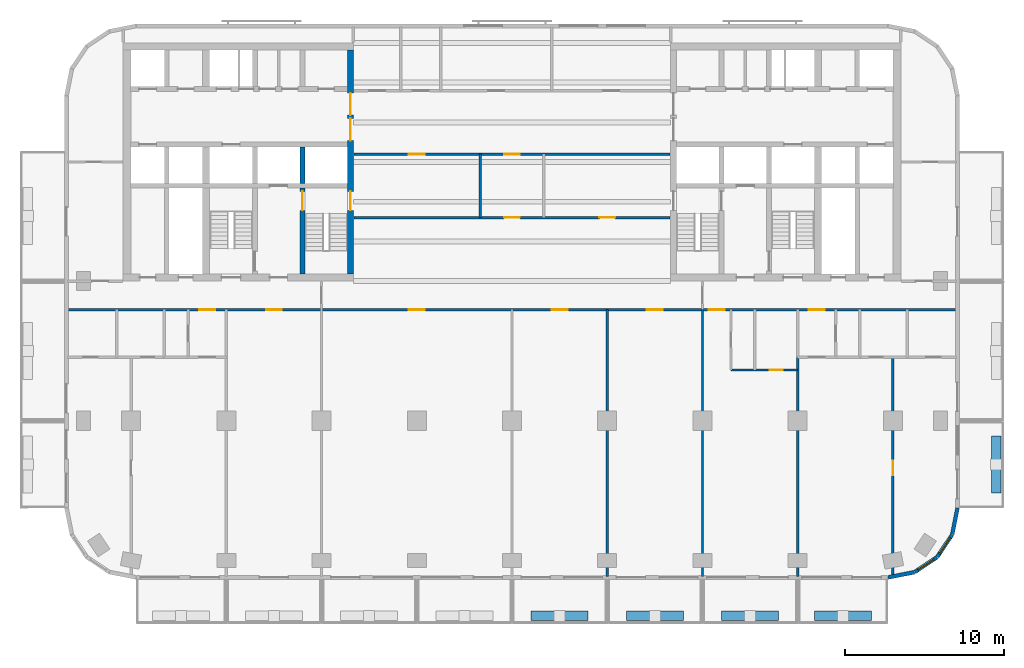
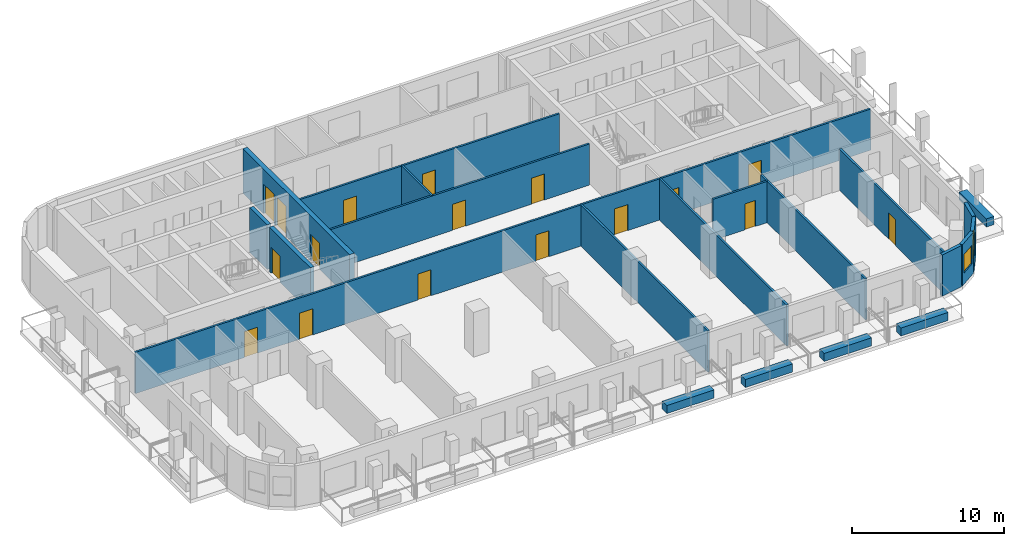
# One storey, part 4 of 11: 21 walls, 17 doors, 2 windows, 19 openings.
"""IFC4 building model written with IfcOpenShell, lengths in metres."""

from ifc_helpers import new_model, si_unit, direction, frame, frame_2d, origin, place, context, subcontext, project, spatial, rectangle, extrude, material, layer, layer_set, type_object, element, fill, save


model = new_model("IFC4")

# Units and contexts
model_context = context("Model", 3, precision=1e-05, world=origin(), true_north=direction((0.0, 1.0)))
body_context = subcontext(model_context, "Body", "Model", "MODEL_VIEW")
ifc_project = project(units=[si_unit("LENGTHUNIT", "METRE"), si_unit("AREAUNIT", "SQUARE_METRE"), si_unit("VOLUMEUNIT", "CUBIC_METRE"), si_unit("PLANEANGLEUNIT", "RADIAN"), si_unit("MASSUNIT", "GRAM", prefix="KILO")], contexts=[model_context])

# Site, building, storey
site_placement = place(None, origin())
site = spatial("IfcSite", under=ifc_project, at=site_placement, CompositionType="ELEMENT")
building_placement = place(site_placement, origin())
building = spatial("IfcBuilding", under=site, at=building_placement, Name="Torana Hotel and Residences", CompositionType="ELEMENT")
storey_placement = place(building_placement, frame((0.0, 0.0, 120.0)))
storey = spatial("IfcBuildingStorey", under=building, at=storey_placement, Name="L30", CompositionType="ELEMENT", Elevation=120.0)

# Wall
ifc_material_1 = material(Name="Concrete C70/85", Category="concrete")
ifc_layer_1 = layer(ifc_material_1, 0.300048828125)
ifc_layer_set_1 = layer_set([ifc_layer_1], Name="CORE WALL 300 C70/85")
wall_type_1 = type_object("IfcWallType", Name="CORE WALL 300 C70/85", PredefinedType="SHEAR", material=ifc_layer_set_1)
wall_1_placement = place(storey_placement, frame((-13.199951171875, -8.85009765625, 0.0), z_axis=(0.0, 0.0, 1.0), x_axis=(0.0, 1.0, 0.0)))
element("IfcWall", 1, at=wall_1_placement, inside=storey, type_object=wall_type_1, Name="Core wall W x3.05-S", PredefinedType="SHEAR", context=body_context, shape_type="SweptSolid", body=[
    extrude(rectangle(XDim=2.300048828125, YDim=0.300048828125, at=frame_2d((1.14990234375, 0.0))), origin(), (0.0, 0.0, 1.0), 3.60009765625),
])

# Wall, opening, door
wall_2_placement = place(storey_placement, frame((-13.199951171875, -14.550048828125, 0.0), z_axis=(0.0, 0.0, 1.0), x_axis=(0.0, 1.0, 0.0)))
wall_2 = element("IfcWall", 2, at=wall_2_placement, inside=storey, type_object=wall_type_1, Name="Core wall W x3.05-band", PredefinedType="SHEAR", context=body_context, shape_type="SweptSolid", body=[
    extrude(rectangle(XDim=5.400146484375, YDim=0.300048828125, at=frame_2d((2.7001953125, 0.0))), origin(), (0.0, 0.0, 1.0), 3.60009765625),
])
opening_1_placement = place(wall_2_placement, frame((4.0, 0.0, 0.0)))
opening_1 = element("IfcOpeningElement", 3, at=opening_1_placement, cuts=wall_2, Name="Opening L30-14", PredefinedType="OPENING", context=body_context, shape_type="SweptSolid", body=[
    extrude(rectangle(XDim=1.199951171875, YDim=2.10009765625, at=frame_2d((0.60009765625, 1.050048828125))), frame((0.0, 0.159912109375, 0.0), z_axis=(0.0, -1.0, 0.0), x_axis=(1.0, 0.0, 0.0)), (0.0, 0.0, 1.0), 0.320068359375),
])
ifc_material_2 = material(Name="Steel S235", Category="steel")
door_type_1 = type_object("IfcDoorType", Name="STAIR FIRE DOOR D3 1200x2100", OperationType="SINGLE_SWING_LEFT", PredefinedType="DOOR", material=ifc_material_2)
door_1_placement = place(opening_1_placement, frame((0.60009765625, 0.0, 0.0), z_axis=(0.0, 0.0, 1.0), x_axis=(-1.0, 0.0, 0.0)))
door_1 = element("IfcDoor", 4, at=door_1_placement, inside=storey, type_object=door_type_1, Name="Stair-A-lobby door L30", OperationType="SINGLE_SWING_RIGHT", OverallHeight=2.10009765625, OverallWidth=1.199951171875, PredefinedType="DOOR", context=body_context, shape_type="SweptSolid", body=[
    extrude(rectangle(XDim=1.199951171875, YDim=2.10009765625, at=frame_2d((0.0, 1.050048828125))), frame((0.0, -0.02490234375, 0.0), z_axis=(0.0, 1.0, 0.0), x_axis=(-1.0, 0.0, 0.0)), (0.0, 0.0, 1.0), 0.050048828125),
])
fill(opening_1, door_1)

# Wall, openings, doors
ifc_material_3 = material(Name="Concrete C70/85", Category="concrete")
ifc_layer_2 = layer(ifc_material_3, 0.35009765625)
ifc_layer_set_2 = layer_set([ifc_layer_2], Name="CORE WALL 350 C70/85")
wall_type_2 = type_object("IfcWallType", Name="CORE WALL 350 C70/85", PredefinedType="SHEAR", material=ifc_layer_set_2)
wall_3_placement = place(storey_placement, frame((-10.175048828125, -14.550048828125, 0.0), z_axis=(0.0, 0.0, 1.0), x_axis=(0.0, 1.0, 0.0)))
wall_3 = element("IfcWall", 5, at=wall_3_placement, inside=storey, type_object=wall_type_2, Name="Core wall W arch", PredefinedType="SHEAR", context=body_context, shape_type="SweptSolid", body=[
    extrude(rectangle(XDim=14.10009765625, YDim=0.35009765625, at=frame_2d((7.050048828125, 0.0))), origin(), (0.0, 0.0, 1.0), 3.60009765625),
])
opening_2_placement = place(wall_3_placement, frame((8.39990234375, 0.0, 0.0)))
opening_2 = element("IfcOpeningElement", 6, at=opening_2_placement, cuts=wall_3, Name="Opening L30-01", PredefinedType="OPENING", context=body_context, shape_type="SweptSolid", body=[
    extrude(rectangle(XDim=1.39990234375, YDim=2.39990234375, at=frame_2d((0.699951171875, 1.199951171875))), frame((0.0, 0.18505859375, 0.0), z_axis=(0.0, -1.0, 0.0), x_axis=(1.0, 0.0, 0.0)), (0.0, 0.0, 1.0), 0.3701171875),
])
opening_3_placement = place(wall_3_placement, frame((10.0, 0.0, 0.0)))
opening_3 = element("IfcOpeningElement", 7, at=opening_3_placement, cuts=wall_3, Name="Opening L30-02", PredefinedType="OPENING", context=body_context, shape_type="SweptSolid", body=[
    extrude(rectangle(XDim=1.39990234375, YDim=2.39990234375, at=frame_2d((0.699951171875, 1.199951171875))), frame((0.0, 0.18505859375, 0.0), z_axis=(0.0, -1.0, 0.0), x_axis=(1.0, 0.0, 0.0)), (0.0, 0.0, 1.0), 0.3701171875),
])
opening_4_placement = place(wall_3_placement, frame((4.0, 0.0, 0.0)))
opening_4 = element("IfcOpeningElement", 8, at=opening_4_placement, cuts=wall_3, Name="Opening L30-03", PredefinedType="OPENING", context=body_context, shape_type="SweptSolid", body=[
    extrude(rectangle(XDim=1.199951171875, YDim=2.10009765625, at=frame_2d((0.60009765625, 1.050048828125))), frame((0.0, 0.18505859375, 0.0), z_axis=(0.0, -1.0, 0.0), x_axis=(1.0, 0.0, 0.0)), (0.0, 0.0, 1.0), 0.3701171875),
])
ifc_material_4 = material(Name="Steel S235", Category="steel")
door_type_2 = type_object("IfcDoorType", Name="LOBBY FIRE DOOR D4 1400x2400", OperationType="DOUBLE_DOOR_SINGLE_SWING", PredefinedType="DOOR", material=ifc_material_4)
door_2_placement = place(opening_2_placement, origin())
door_2 = element("IfcDoor", 9, at=door_2_placement, inside=storey, type_object=door_type_2, Name="Lobby-1 door L30", OperationType="DOUBLE_DOOR_SINGLE_SWING", OverallHeight=2.39990234375, OverallWidth=1.39990234375, PredefinedType="DOOR", context=body_context, shape_type="SweptSolid", body=[
    extrude(rectangle(XDim=1.39990234375, YDim=2.39990234375, at=frame_2d((0.699951171875, 1.199951171875))), frame((0.0, 0.02490234375, 0.0), z_axis=(0.0, -1.0, 0.0), x_axis=(1.0, 0.0, 0.0)), (0.0, 0.0, 1.0), 0.050048828125),
])
fill(opening_2, door_2)
door_3_placement = place(opening_3_placement, origin())
door_3 = element("IfcDoor", 10, at=door_3_placement, inside=storey, type_object=door_type_2, Name="Lobby-2 door L30", OperationType="DOUBLE_DOOR_SINGLE_SWING", OverallHeight=2.39990234375, OverallWidth=1.39990234375, PredefinedType="DOOR", context=body_context, shape_type="SweptSolid", body=[
    extrude(rectangle(XDim=1.39990234375, YDim=2.39990234375, at=frame_2d((0.699951171875, 1.199951171875))), frame((0.0, 0.02490234375, 0.0), z_axis=(0.0, -1.0, 0.0), x_axis=(1.0, 0.0, 0.0)), (0.0, 0.0, 1.0), 0.050048828125),
])
fill(opening_3, door_3)
door_4_placement = place(opening_4_placement, origin())
door_4 = element("IfcDoor", 11, at=door_4_placement, inside=storey, type_object=door_type_1, Name="Stair-A door L30", OperationType="SINGLE_SWING_LEFT", OverallHeight=2.10009765625, OverallWidth=1.199951171875, PredefinedType="DOOR", context=body_context, shape_type="SweptSolid", body=[
    extrude(rectangle(XDim=1.199951171875, YDim=2.10009765625, at=frame_2d((0.60009765625, 1.050048828125))), frame((0.0, 0.02490234375, 0.0), z_axis=(0.0, -1.0, 0.0), x_axis=(1.0, 0.0, 0.0)), (0.0, 0.0, 1.0), 0.050048828125),
])
fill(opening_4, door_4)

# Wall
ifc_material_5 = material(Name="Black aluminium composite panel", Category="aluminium")
ifc_layer_3 = layer(ifc_material_5, 0.00390625, Name="Cladding", Category="cladding")
ifc_material_6 = material(Name="Ventilated air cavity")
ifc_layer_4 = layer(ifc_material_6, 0.0400390625, Name="Ventilated cavity", Category="cavity")
ifc_material_7 = material(Name="Mineral wool insulation")
ifc_layer_5 = layer(ifc_material_7, 0.090087890625, Name="Insulation", Category="insulation")
ifc_material_8 = material(Name="Steel S280GD", Category="steel")
ifc_layer_6 = layer(ifc_material_8, 0.092041015625, Name="Steel stud frame", Category="structure")
ifc_material_9 = material(Name="Fire rated plasterboard")
ifc_layer_7 = layer(ifc_material_9, 0.011962890625, Name="Inner board", Category="finish")
ifc_layer_8 = layer(ifc_material_9, 0.011962890625, Name="Second board", Category="finish")
ifc_layer_set_3 = layer_set([ifc_layer_3, ifc_layer_4, ifc_layer_5, ifc_layer_6, ifc_layer_7, ifc_layer_8], Name="EW1 EXTERNAL WALL BLACK METAL CLAD 250")
wall_type_3 = type_object("IfcWallType", Name="EW1 EXTERNAL WALL BLACK METAL CLAD 250", PredefinedType="SOLIDWALL", material=ifc_layer_set_3)
wall_4_placement = place(storey_placement, frame((23.69970703125, -33.672607421875, 0.0), z_axis=(0.0, 0.0, 1.0), x_axis=(0.980775640221, 0.19513878023, 0.0)))
element("IfcWall", 12, at=wall_4_placement, inside=storey, type_object=wall_type_3, Name="External wall L30 e0.15", PredefinedType="SOLIDWALL", context=body_context, shape_type="SweptSolid", body=[
    extrude(rectangle(XDim=1.681396484375, YDim=0.25, at=frame_2d((0.8408203125, 0.0))), origin(), (0.0, 0.0, 1.0), 3.320068359375),
])

# Wall, opening, window
wall_5_placement = place(storey_placement, frame((25.39404296875, -33.325927734375, 0.0), z_axis=(0.0, 0.0, 1.0), x_axis=(0.831482937015, 0.55555029066, 0.0)))
wall_5 = element("IfcWall", 13, at=wall_5_placement, inside=storey, type_object=wall_type_3, Name="External wall L30 e0.16", PredefinedType="SOLIDWALL", context=body_context, shape_type="SweptSolid", body=[
    extrude(rectangle(XDim=1.65625, YDim=0.25, at=frame_2d((0.828125, 0.0))), origin(), (0.0, 0.0, 1.0), 3.320068359375),
])
opening_5_placement = place(wall_5_placement, frame((0.228271484375, 0.0, 0.89990234375)))
opening_5 = element("IfcOpeningElement", 14, at=opening_5_placement, cuts=wall_5, Name="Opening W5", PredefinedType="OPENING", context=body_context, shape_type="SweptSolid", body=[
    extrude(rectangle(XDim=1.199951171875, YDim=1.5, at=frame_2d((0.60009765625, 0.75))), frame((0.0, 0.135009765625, 0.0), z_axis=(0.0, -1.0, 0.0), x_axis=(1.0, 0.0, 0.0)), (0.0, 0.0, 1.0), 0.27001953125),
])
ifc_material_10 = material(Name="Dark glass in black aluminium frame", Category="aluminium")
window_type = type_object("IfcWindowType", Name="W5 CORNER FACET WINDOW 1200x1500", PartitioningType="SINGLE_PANEL", PredefinedType="WINDOW", material=ifc_material_10)
window_1_placement = place(opening_5_placement, origin())
window_1 = element("IfcWindow", 15, at=window_1_placement, inside=storey, type_object=window_type, Name="Window L30 e0.16", OverallHeight=1.5, OverallWidth=1.199951171875, PartitioningType="SINGLE_PANEL", PredefinedType="WINDOW", context=body_context, shape_type="SweptSolid", body=[
    extrude(rectangle(XDim=1.199951171875, YDim=1.5, at=frame_2d((0.60009765625, 0.75))), frame((0.0, 0.030029296875, 0.0), z_axis=(0.0, -1.0, 0.0), x_axis=(1.0, 0.0, 0.0)), (0.0, 0.0, 1.0), 0.06005859375),
])
fill(opening_5, window_1)

wall_6_placement = place(storey_placement, frame((26.8056640625, -32.37109375, 0.0), z_axis=(0.0, 0.0, 1.0), x_axis=(0.55555029066, 0.831482937015, 0.0)))
wall_6 = element("IfcWall", 16, at=wall_6_placement, inside=storey, type_object=wall_type_3, Name="External wall L30 e0.17", PredefinedType="SOLIDWALL", context=body_context, shape_type="SweptSolid", body=[
    extrude(rectangle(XDim=1.65625, YDim=0.25, at=frame_2d((0.828125, 0.0))), origin(), (0.0, 0.0, 1.0), 3.320068359375),
])
opening_6_placement = place(wall_6_placement, frame((0.228271484375, 0.0, 0.89990234375)))
opening_6 = element("IfcOpeningElement", 17, at=opening_6_placement, cuts=wall_6, Name="Opening W5", PredefinedType="OPENING", context=body_context, shape_type="SweptSolid", body=[
    extrude(rectangle(XDim=1.199951171875, YDim=1.5, at=frame_2d((0.60009765625, 0.75))), frame((0.0, 0.135009765625, 0.0), z_axis=(0.0, -1.0, 0.0), x_axis=(1.0, 0.0, 0.0)), (0.0, 0.0, 1.0), 0.27001953125),
])
window_2_placement = place(opening_6_placement, origin())
window_2 = element("IfcWindow", 18, at=window_2_placement, inside=storey, type_object=window_type, Name="Window L30 e0.17", OverallHeight=1.5, OverallWidth=1.199951171875, PartitioningType="SINGLE_PANEL", PredefinedType="WINDOW", context=body_context, shape_type="SweptSolid", body=[
    extrude(rectangle(XDim=1.199951171875, YDim=1.5, at=frame_2d((0.60009765625, 0.75))), frame((0.0, 0.030029296875, 0.0), z_axis=(0.0, -1.0, 0.0), x_axis=(1.0, 0.0, 0.0)), (0.0, 0.0, 1.0), 0.06005859375),
])
fill(opening_6, window_2)

# Walls
wall_7_placement = place(storey_placement, frame((27.74462890625, -30.948974609375, 0.0), z_axis=(0.0, 0.0, 1.0), x_axis=(0.194999110559, 0.980803419081, 0.0)))
element("IfcWall", 19, at=wall_7_placement, inside=storey, type_object=wall_type_3, Name="External wall L30 e0.18", PredefinedType="SOLIDWALL", context=body_context, shape_type="SweptSolid", body=[
    extrude(rectangle(XDim=1.681396484375, YDim=0.25, at=frame_2d((0.8408203125, 0.0))), origin(), (0.0, 0.0, 1.0), 3.320068359375),
])
ifc_material_11 = material(Name="Gypsum plaster")
ifc_layer_9 = layer(ifc_material_11, 0.014892578125, Name="Plaster", Category="finish")
ifc_material_12 = material(Name="Concrete blockwork", Category="masonry")
ifc_layer_10 = layer(ifc_material_12, 0.1201171875, Name="Blockwork", Category="structure")
ifc_layer_11 = layer(ifc_material_11, 0.014892578125, Name="Plaster", Category="finish")
ifc_layer_set_4 = layer_set([ifc_layer_9, ifc_layer_10, ifc_layer_11], Name="FIRE PARTITION 150 BLOCKWORK")
wall_type_4 = type_object("IfcWallType", Name="FIRE PARTITION 150 BLOCKWORK", PredefinedType="PARTITIONING", material=ifc_layer_set_4)
wall_8_placement = place(storey_placement, frame((-2.0, -11.0, 0.0), z_axis=(0.0, 0.0, 1.0), x_axis=(0.0, 1.0, 0.0)))
element("IfcWall", 20, at=wall_8_placement, inside=storey, type_object=wall_type_4, Name="Partition L30", PredefinedType="PARTITIONING", context=body_context, shape_type="SweptSolid", body=[
    extrude(rectangle(XDim=4.0, YDim=0.14990234375, at=frame_2d((2.0, 0.0))), origin(), (0.0, 0.0, 1.0), 3.320068359375),
])

# Wall, openings, doors
wall_9_placement = place(storey_placement, frame((-28.02001953125, -16.800048828125, 0.0), z_axis=(0.0, 0.0, 1.0), x_axis=(1.0, 0.0, 0.0)))
wall_9 = element("IfcWall", 21, at=wall_9_placement, inside=storey, type_object=wall_type_4, Name="Partition L30", PredefinedType="PARTITIONING", context=body_context, shape_type="SweptSolid", body=[
    extrude(rectangle(XDim=56.0400390625, YDim=0.14990234375, at=frame_2d((28.02001953125, 0.0))), origin(), (0.0, 0.0, 1.0), 3.320068359375),
])
opening_7_placement = place(wall_9_placement, frame((12.52001953125, 0.0, 0.0)))
opening_7 = element("IfcOpeningElement", 22, at=opening_7_placement, cuts=wall_9, Name="Opening L30-32", PredefinedType="OPENING", context=body_context, shape_type="SweptSolid", body=[
    extrude(rectangle(XDim=1.0, YDim=2.10009765625, at=frame_2d((0.5, 1.050048828125))), frame((0.0, 0.0849609375, 0.0), z_axis=(0.0, -1.0, 0.0), x_axis=(1.0, 0.0, 0.0)), (0.0, 0.0, 1.0), 0.169921875),
])
opening_8_placement = place(wall_9_placement, frame((8.320068359375, 0.0, 0.0)))
opening_8 = element("IfcOpeningElement", 23, at=opening_8_placement, cuts=wall_9, Name="Opening L30-33", PredefinedType="OPENING", context=body_context, shape_type="SweptSolid", body=[
    extrude(rectangle(XDim=1.0, YDim=2.10009765625, at=frame_2d((0.5, 1.050048828125))), frame((0.0, 0.0849609375, 0.0), z_axis=(0.0, -1.0, 0.0), x_axis=(1.0, 0.0, 0.0)), (0.0, 0.0, 1.0), 0.169921875),
])
opening_9_placement = place(wall_9_placement, frame((40.419921875, 0.0, 0.0)))
opening_9 = element("IfcOpeningElement", 24, at=opening_9_placement, cuts=wall_9, Name="Opening L30-36", PredefinedType="OPENING", context=body_context, shape_type="SweptSolid", body=[
    extrude(rectangle(XDim=1.0, YDim=2.10009765625, at=frame_2d((0.5, 1.050048828125))), frame((0.0, 0.0849609375, 0.0), z_axis=(0.0, -1.0, 0.0), x_axis=(1.0, 0.0, 0.0)), (0.0, 0.0, 1.0), 0.169921875),
])
opening_10_placement = place(wall_9_placement, frame((46.719970703125, 0.0, 0.0)))
opening_10 = element("IfcOpeningElement", 25, at=opening_10_placement, cuts=wall_9, Name="Opening L30-37", PredefinedType="OPENING", context=body_context, shape_type="SweptSolid", body=[
    extrude(rectangle(XDim=1.0, YDim=2.10009765625, at=frame_2d((0.5, 1.050048828125))), frame((0.0, 0.0849609375, 0.0), z_axis=(0.0, -1.0, 0.0), x_axis=(1.0, 0.0, 0.0)), (0.0, 0.0, 1.0), 0.169921875),
])
opening_11_placement = place(wall_9_placement, frame((21.52001953125, 0.0, 0.0)))
opening_11 = element("IfcOpeningElement", 26, at=opening_11_placement, cuts=wall_9, Name="Opening L30-40", PredefinedType="OPENING", context=body_context, shape_type="SweptSolid", body=[
    extrude(rectangle(XDim=1.0, YDim=2.10009765625, at=frame_2d((0.5, 1.050048828125))), frame((0.0, 0.0849609375, 0.0), z_axis=(0.0, -1.0, 0.0), x_axis=(1.0, 0.0, 0.0)), (0.0, 0.0, 1.0), 0.169921875),
])
opening_12_placement = place(wall_9_placement, frame((30.52001953125, 0.0, 0.0)))
opening_12 = element("IfcOpeningElement", 27, at=opening_12_placement, cuts=wall_9, Name="Opening L30-41", PredefinedType="OPENING", context=body_context, shape_type="SweptSolid", body=[
    extrude(rectangle(XDim=1.0, YDim=2.10009765625, at=frame_2d((0.5, 1.050048828125))), frame((0.0, 0.0849609375, 0.0), z_axis=(0.0, -1.0, 0.0), x_axis=(1.0, 0.0, 0.0)), (0.0, 0.0, 1.0), 0.169921875),
])
opening_13_placement = place(wall_9_placement, frame((36.52001953125, 0.0, 0.0)))
opening_13 = element("IfcOpeningElement", 28, at=opening_13_placement, cuts=wall_9, Name="Opening L30-42", PredefinedType="OPENING", context=body_context, shape_type="SweptSolid", body=[
    extrude(rectangle(XDim=1.0, YDim=2.10009765625, at=frame_2d((0.5, 1.050048828125))), frame((0.0, 0.0849609375, 0.0), z_axis=(0.0, -1.0, 0.0), x_axis=(1.0, 0.0, 0.0)), (0.0, 0.0, 1.0), 0.169921875),
])
ifc_material_13 = material(Name="Steel S235", Category="steel")
door_type_3 = type_object("IfcDoorType", Name="ENTRY FIRE DOOR D6 1000x2100", OperationType="SINGLE_SWING_LEFT", PredefinedType="DOOR", material=ifc_material_13)
door_5_placement = place(opening_7_placement, frame((0.5, 0.0, 0.0), z_axis=(0.0, 0.0, 1.0), x_axis=(-1.0, 0.0, 0.0)))
door_5 = element("IfcDoor", 29, at=door_5_placement, inside=storey, type_object=door_type_3, Name="Door L30", OperationType="SINGLE_SWING_LEFT", OverallHeight=2.10009765625, OverallWidth=1.0, PredefinedType="DOOR", context=body_context, shape_type="SweptSolid", body=[
    extrude(rectangle(XDim=1.0, YDim=2.10009765625, at=frame_2d((0.0, 1.050048828125))), frame((0.0, -0.02490234375, 0.0), z_axis=(0.0, 1.0, 0.0), x_axis=(-1.0, 0.0, 0.0)), (0.0, 0.0, 1.0), 0.050048828125),
])
fill(opening_7, door_5)
door_6_placement = place(opening_8_placement, origin())
door_6 = element("IfcDoor", 30, at=door_6_placement, inside=storey, type_object=door_type_3, Name="Door L30", OperationType="SINGLE_SWING_RIGHT", OverallHeight=2.10009765625, OverallWidth=1.0, PredefinedType="DOOR", context=body_context, shape_type="SweptSolid", body=[
    extrude(rectangle(XDim=1.0, YDim=2.10009765625, at=frame_2d((0.5, 1.050048828125))), frame((0.0, 0.02490234375, 0.0), z_axis=(0.0, -1.0, 0.0), x_axis=(1.0, 0.0, 0.0)), (0.0, 0.0, 1.0), 0.050048828125),
])
fill(opening_8, door_6)
door_7_placement = place(opening_9_placement, frame((0.5, 0.0, 0.0), z_axis=(0.0, 0.0, 1.0), x_axis=(-1.0, 0.0, 0.0)))
door_7 = element("IfcDoor", 31, at=door_7_placement, inside=storey, type_object=door_type_3, Name="Door L30", OperationType="SINGLE_SWING_LEFT", OverallHeight=2.10009765625, OverallWidth=1.0, PredefinedType="DOOR", context=body_context, shape_type="SweptSolid", body=[
    extrude(rectangle(XDim=1.0, YDim=2.10009765625, at=frame_2d((0.0, 1.050048828125))), frame((0.0, -0.02490234375, 0.0), z_axis=(0.0, 1.0, 0.0), x_axis=(-1.0, 0.0, 0.0)), (0.0, 0.0, 1.0), 0.050048828125),
])
fill(opening_9, door_7)
door_8_placement = place(opening_10_placement, origin())
door_8 = element("IfcDoor", 32, at=door_8_placement, inside=storey, type_object=door_type_3, Name="Door L30", OperationType="SINGLE_SWING_RIGHT", OverallHeight=2.10009765625, OverallWidth=1.0, PredefinedType="DOOR", context=body_context, shape_type="SweptSolid", body=[
    extrude(rectangle(XDim=1.0, YDim=2.10009765625, at=frame_2d((0.5, 1.050048828125))), frame((0.0, 0.02490234375, 0.0), z_axis=(0.0, -1.0, 0.0), x_axis=(1.0, 0.0, 0.0)), (0.0, 0.0, 1.0), 0.050048828125),
])
fill(opening_10, door_8)
door_9_placement = place(opening_11_placement, frame((0.5, 0.0, 0.0), z_axis=(0.0, 0.0, 1.0), x_axis=(-1.0, 0.0, 0.0)))
door_9 = element("IfcDoor", 33, at=door_9_placement, inside=storey, type_object=door_type_3, Name="Door L30", OperationType="SINGLE_SWING_LEFT", OverallHeight=2.10009765625, OverallWidth=1.0, PredefinedType="DOOR", context=body_context, shape_type="SweptSolid", body=[
    extrude(rectangle(XDim=1.0, YDim=2.10009765625, at=frame_2d((0.0, 1.050048828125))), frame((0.0, -0.02490234375, 0.0), z_axis=(0.0, 1.0, 0.0), x_axis=(-1.0, 0.0, 0.0)), (0.0, 0.0, 1.0), 0.050048828125),
])
fill(opening_11, door_9)
door_10_placement = place(opening_12_placement, frame((0.5, 0.0, 0.0), z_axis=(0.0, 0.0, 1.0), x_axis=(-1.0, 0.0, 0.0)))
door_10 = element("IfcDoor", 34, at=door_10_placement, inside=storey, type_object=door_type_3, Name="Door L30", OperationType="SINGLE_SWING_LEFT", OverallHeight=2.10009765625, OverallWidth=1.0, PredefinedType="DOOR", context=body_context, shape_type="SweptSolid", body=[
    extrude(rectangle(XDim=1.0, YDim=2.10009765625, at=frame_2d((0.0, 1.050048828125))), frame((0.0, -0.02490234375, 0.0), z_axis=(0.0, 1.0, 0.0), x_axis=(-1.0, 0.0, 0.0)), (0.0, 0.0, 1.0), 0.050048828125),
])
fill(opening_12, door_10)
door_11_placement = place(opening_13_placement, frame((0.5, 0.0, 0.0), z_axis=(0.0, 0.0, 1.0), x_axis=(-1.0, 0.0, 0.0)))
door_11 = element("IfcDoor", 35, at=door_11_placement, inside=storey, type_object=door_type_3, Name="Door L30", OperationType="SINGLE_SWING_LEFT", OverallHeight=2.10009765625, OverallWidth=1.0, PredefinedType="DOOR", context=body_context, shape_type="SweptSolid", body=[
    extrude(rectangle(XDim=1.0, YDim=2.10009765625, at=frame_2d((0.0, 1.050048828125))), frame((0.0, -0.02490234375, 0.0), z_axis=(0.0, 1.0, 0.0), x_axis=(-1.0, 0.0, 0.0)), (0.0, 0.0, 1.0), 0.050048828125),
])
fill(opening_13, door_11)

wall_10_placement = place(storey_placement, frame((-9.949951171875, -11.0, 0.0), z_axis=(0.0, 0.0, 1.0), x_axis=(1.0, 0.0, 0.0)))
wall_10 = element("IfcWall", 36, at=wall_10_placement, inside=storey, type_object=wall_type_4, Name="Partition L30", PredefinedType="PARTITIONING", context=body_context, shape_type="SweptSolid", body=[
    extrude(rectangle(XDim=19.89990234375, YDim=0.14990234375, at=frame_2d((9.949951171875, 0.0))), origin(), (0.0, 0.0, 1.0), 3.320068359375),
])
opening_14_placement = place(wall_10_placement, frame((9.449951171875, 0.0, 0.0)))
opening_14 = element("IfcOpeningElement", 37, at=opening_14_placement, cuts=wall_10, Name="Opening L30-39", PredefinedType="OPENING", context=body_context, shape_type="SweptSolid", body=[
    extrude(rectangle(XDim=1.0, YDim=2.10009765625, at=frame_2d((0.5, 1.050048828125))), frame((0.0, 0.0849609375, 0.0), z_axis=(0.0, -1.0, 0.0), x_axis=(1.0, 0.0, 0.0)), (0.0, 0.0, 1.0), 0.169921875),
])
opening_15_placement = place(wall_10_placement, frame((15.449951171875, 0.0, 0.0)))
opening_15 = element("IfcOpeningElement", 38, at=opening_15_placement, cuts=wall_10, Name="Opening L30-43", PredefinedType="OPENING", context=body_context, shape_type="SweptSolid", body=[
    extrude(rectangle(XDim=1.0, YDim=2.10009765625, at=frame_2d((0.5, 1.050048828125))), frame((0.0, 0.0849609375, 0.0), z_axis=(0.0, -1.0, 0.0), x_axis=(1.0, 0.0, 0.0)), (0.0, 0.0, 1.0), 0.169921875),
])
door_12_placement = place(opening_14_placement, origin())
door_12 = element("IfcDoor", 39, at=door_12_placement, inside=storey, type_object=door_type_3, Name="Door L30", OperationType="SINGLE_SWING_RIGHT", OverallHeight=2.10009765625, OverallWidth=1.0, PredefinedType="DOOR", context=body_context, shape_type="SweptSolid", body=[
    extrude(rectangle(XDim=1.0, YDim=2.10009765625, at=frame_2d((0.5, 1.050048828125))), frame((0.0, 0.02490234375, 0.0), z_axis=(0.0, -1.0, 0.0), x_axis=(1.0, 0.0, 0.0)), (0.0, 0.0, 1.0), 0.050048828125),
])
fill(opening_14, door_12)
door_13_placement = place(opening_15_placement, origin())
door_13 = element("IfcDoor", 40, at=door_13_placement, inside=storey, type_object=door_type_3, Name="Door L30", OperationType="SINGLE_SWING_RIGHT", OverallHeight=2.10009765625, OverallWidth=1.0, PredefinedType="DOOR", context=body_context, shape_type="SweptSolid", body=[
    extrude(rectangle(XDim=1.0, YDim=2.10009765625, at=frame_2d((0.5, 1.050048828125))), frame((0.0, 0.02490234375, 0.0), z_axis=(0.0, -1.0, 0.0), x_axis=(1.0, 0.0, 0.0)), (0.0, 0.0, 1.0), 0.050048828125),
])
fill(opening_15, door_13)

wall_11_placement = place(storey_placement, frame((-9.949951171875, -7.0, 0.0), z_axis=(0.0, 0.0, 1.0), x_axis=(1.0, 0.0, 0.0)))
wall_11 = element("IfcWall", 41, at=wall_11_placement, inside=storey, type_object=wall_type_4, Name="Partition L30", PredefinedType="PARTITIONING", context=body_context, shape_type="SweptSolid", body=[
    extrude(rectangle(XDim=19.89990234375, YDim=0.14990234375, at=frame_2d((9.949951171875, 0.0))), origin(), (0.0, 0.0, 1.0), 3.320068359375),
])
opening_16_placement = place(wall_11_placement, frame((9.449951171875, 0.0, 0.0)))
opening_16 = element("IfcOpeningElement", 42, at=opening_16_placement, cuts=wall_11, Name="Opening L30-44", PredefinedType="OPENING", context=body_context, shape_type="SweptSolid", body=[
    extrude(rectangle(XDim=1.0, YDim=2.10009765625, at=frame_2d((0.5, 1.050048828125))), frame((0.0, 0.0849609375, 0.0), z_axis=(0.0, -1.0, 0.0), x_axis=(1.0, 0.0, 0.0)), (0.0, 0.0, 1.0), 0.169921875),
])
opening_17_placement = place(wall_11_placement, frame((3.449951171875, 0.0, 0.0)))
opening_17 = element("IfcOpeningElement", 43, at=opening_17_placement, cuts=wall_11, Name="Opening L30-45", PredefinedType="OPENING", context=body_context, shape_type="SweptSolid", body=[
    extrude(rectangle(XDim=1.0, YDim=2.10009765625, at=frame_2d((0.5, 1.050048828125))), frame((0.0, 0.0849609375, 0.0), z_axis=(0.0, -1.0, 0.0), x_axis=(1.0, 0.0, 0.0)), (0.0, 0.0, 1.0), 0.169921875),
])
door_14_placement = place(opening_16_placement, origin())
door_14 = element("IfcDoor", 44, at=door_14_placement, inside=storey, type_object=door_type_3, Name="Door L30", OperationType="SINGLE_SWING_RIGHT", OverallHeight=2.10009765625, OverallWidth=1.0, PredefinedType="DOOR", context=body_context, shape_type="SweptSolid", body=[
    extrude(rectangle(XDim=1.0, YDim=2.10009765625, at=frame_2d((0.5, 1.050048828125))), frame((0.0, 0.02490234375, 0.0), z_axis=(0.0, -1.0, 0.0), x_axis=(1.0, 0.0, 0.0)), (0.0, 0.0, 1.0), 0.050048828125),
])
fill(opening_16, door_14)
door_15_placement = place(opening_17_placement, frame((0.5, 0.0, 0.0), z_axis=(0.0, 0.0, 1.0), x_axis=(-1.0, 0.0, 0.0)))
door_15 = element("IfcDoor", 45, at=door_15_placement, inside=storey, type_object=door_type_3, Name="Door L30", OperationType="SINGLE_SWING_LEFT", OverallHeight=2.10009765625, OverallWidth=1.0, PredefinedType="DOOR", context=body_context, shape_type="SweptSolid", body=[
    extrude(rectangle(XDim=1.0, YDim=2.10009765625, at=frame_2d((0.0, 1.050048828125))), frame((0.0, -0.02490234375, 0.0), z_axis=(0.0, 1.0, 0.0), x_axis=(-1.0, 0.0, 0.0)), (0.0, 0.0, 1.0), 0.050048828125),
])
fill(opening_17, door_15)

# Wall, opening, door
ifc_material_14 = material(Name="Gypsum plasterboard")
ifc_layer_12 = layer(ifc_material_14, 0.012451171875, Name="Plasterboard", Category="finish")
ifc_layer_13 = layer(ifc_material_14, 0.012451171875, Name="Plasterboard", Category="finish")
ifc_layer_14 = layer(ifc_material_8, 0.10009765625, Name="Steel studs with mineral wool", Category="insulation")
ifc_layer_15 = layer(ifc_material_14, 0.012451171875, Name="Plasterboard", Category="finish")
ifc_layer_16 = layer(ifc_material_14, 0.012451171875, Name="Plasterboard", Category="finish")
ifc_layer_set_5 = layer_set([ifc_layer_12, ifc_layer_13, ifc_layer_14, ifc_layer_15, ifc_layer_16], Name="PARTITION 150 PLASTERBOARD")
wall_type_5 = type_object("IfcWallType", Name="PARTITION 150 PLASTERBOARD", PredefinedType="PARTITIONING", material=ifc_layer_set_5)
wall_12_placement = place(storey_placement, frame((24.0, -33.556884765625, 0.0), z_axis=(0.0, 0.0, 1.0), x_axis=(0.0, 1.0, 0.0)))
wall_12 = element("IfcWall", 46, at=wall_12_placement, inside=storey, type_object=wall_type_5, Name="Partition L30", PredefinedType="PARTITIONING", context=body_context, shape_type="SweptSolid", body=[
    extrude(rectangle(XDim=13.7568359375, YDim=0.14990234375, at=frame_2d((6.87841796875, 0.0))), origin(), (0.0, 0.0, 1.0), 3.320068359375),
])
opening_18_placement = place(wall_12_placement, frame((6.3369140625, 0.0, 0.0)))
opening_18 = element("IfcOpeningElement", 47, at=opening_18_placement, cuts=wall_12, Name="Opening L30-61", PredefinedType="OPENING", context=body_context, shape_type="SweptSolid", body=[
    extrude(rectangle(XDim=0.89990234375, YDim=2.10009765625, at=frame_2d((0.449951171875, 1.050048828125))), frame((0.0, 0.0849609375, 0.0), z_axis=(0.0, -1.0, 0.0), x_axis=(1.0, 0.0, 0.0)), (0.0, 0.0, 1.0), 0.169921875),
])
ifc_material_15 = material(Name="Timber door, oiled ash", Category="wood")
door_type_4 = type_object("IfcDoorType", Name="ROOM DOOR D7 900x2100", OperationType="SINGLE_SWING_LEFT", PredefinedType="DOOR", material=ifc_material_15)
door_16_placement = place(opening_18_placement, origin())
door_16 = element("IfcDoor", 48, at=door_16_placement, inside=storey, type_object=door_type_4, Name="Door L30", OperationType="SINGLE_SWING_RIGHT", OverallHeight=2.10009765625, OverallWidth=0.89990234375, PredefinedType="DOOR", context=body_context, shape_type="SweptSolid", body=[
    extrude(rectangle(XDim=0.89990234375, YDim=2.10009765625, at=frame_2d((0.449951171875, 1.050048828125))), frame((0.0, 0.02490234375, 0.0), z_axis=(0.0, -1.0, 0.0), x_axis=(1.0, 0.0, 0.0)), (0.0, 0.0, 1.0), 0.050048828125),
])
fill(opening_18, door_16)

# Walls
wall_13_placement = place(storey_placement, frame((18.0, -33.6201171875, 0.0), z_axis=(0.0, 0.0, 1.0), x_axis=(0.0, 1.0, 0.0)))
element("IfcWall", 49, at=wall_13_placement, inside=storey, type_object=wall_type_5, Name="Partition L30", PredefinedType="PARTITIONING", context=body_context, shape_type="SweptSolid", body=[
    extrude(rectangle(XDim=13.820068359375, YDim=0.14990234375, at=frame_2d((6.91015625, 0.0))), origin(), (0.0, 0.0, 1.0), 3.320068359375),
])
for number, where, z_axis, x_axis, name in (
    (50, (12.0, -33.6201171875, 0.0), (0.0, 0.0, 1.0), (0.0, 1.0, 0.0), "Partition L30"),
    (51, (6.0, -33.6201171875, 0.0), (0.0, 0.0, 1.0), (0.0, 1.0, 0.0), "Partition L30"),
):
    element("IfcWall", number, at=place(storey_placement, frame(where, z_axis=z_axis, x_axis=x_axis)), inside=storey, type_object=wall_type_5, Name=name, PredefinedType="PARTITIONING", context=body_context, shape_type="SweptSolid", body=[
        extrude(rectangle(XDim=16.820068359375, YDim=0.14990234375, at=frame_2d((8.41015625, 0.0))), origin(), (0.0, 0.0, 1.0), 3.320068359375),
    ])

# Wall, opening, door
wall_14_placement = place(storey_placement, frame((13.800048828125, -20.60009765625, 0.0), z_axis=(0.0, 0.0, 1.0), x_axis=(1.0, 0.0, 0.0)))
wall_14 = element("IfcWall", 52, at=wall_14_placement, inside=storey, type_object=wall_type_5, Name="Partition L30", PredefinedType="PARTITIONING", context=body_context, shape_type="SweptSolid", body=[
    extrude(rectangle(XDim=4.199951171875, YDim=0.14990234375, at=frame_2d((2.10009765625, 0.0))), origin(), (0.0, 0.0, 1.0), 3.320068359375),
])
opening_19_placement = place(wall_14_placement, frame((2.449951171875, 0.0, 0.0)))
opening_19 = element("IfcOpeningElement", 53, at=opening_19_placement, cuts=wall_14, Name="Opening L30-51", PredefinedType="OPENING", context=body_context, shape_type="SweptSolid", body=[
    extrude(rectangle(XDim=0.800048828125, YDim=2.10009765625, at=frame_2d((0.39990234375, 1.050048828125))), frame((0.0, 0.0849609375, 0.0), z_axis=(0.0, -1.0, 0.0), x_axis=(1.0, 0.0, 0.0)), (0.0, 0.0, 1.0), 0.169921875),
])
ifc_material_16 = material(Name="Timber door, painted", Category="wood")
door_type_5 = type_object("IfcDoorType", Name="BATH DOOR D13 800x2100", OperationType="SINGLE_SWING_LEFT", PredefinedType="DOOR", material=ifc_material_16)
door_17_placement = place(opening_19_placement, origin())
door_17 = element("IfcDoor", 54, at=door_17_placement, inside=storey, type_object=door_type_5, Name="Door L30", OperationType="SINGLE_SWING_RIGHT", OverallHeight=2.10009765625, OverallWidth=0.800048828125, PredefinedType="DOOR", context=body_context, shape_type="SweptSolid", body=[
    extrude(rectangle(XDim=0.800048828125, YDim=2.10009765625, at=frame_2d((0.39990234375, 1.050048828125))), frame((0.0, 0.02490234375, 0.0), z_axis=(0.0, -1.0, 0.0), x_axis=(1.0, 0.0, 0.0)), (0.0, 0.0, 1.0), 0.050048828125),
])
fill(opening_19, door_17)

# Walls
ifc_material_17 = material(Name="Concrete C40/50 precast", Category="concrete")
ifc_layer_17 = layer(ifc_material_17, 0.10009765625, Name="Planter shell", Category="structure")
ifc_material_18 = material(Name="Root resistant membrane")
ifc_layer_18 = layer(ifc_material_18, 0.00390625, Name="Waterproofing membrane", Category="membrane")
ifc_material_19 = material(Name="Drainage board with filter fleece")
ifc_layer_19 = layer(ifc_material_19, 0.02001953125, Name="Drainage board", Category="drainage")
ifc_material_20 = material(Name="Growing medium")
ifc_layer_20 = layer(ifc_material_20, 0.47607421875, Name="Planting substrate", Category="soil")
ifc_layer_set_6 = layer_set([ifc_layer_17, ifc_layer_18, ifc_layer_19, ifc_layer_20], Name="PL1 BALCONY PLANTER 600")
wall_type_6 = type_object("IfcWallType", Name="PL1 BALCONY PLANTER 600", PredefinedType="USERDEFINED", material=ifc_layer_set_6)
for number, where, z_axis, x_axis, name in (
    (55, (4.800048828125, -36.10009765625, 0.0), (0.0, 0.0, 1.0), (-1.0, 0.0, 0.0), "Planter 05"),
    (56, (10.800048828125, -36.10009765625, 0.0), (0.0, 0.0, 1.0), (-1.0, 0.0, 0.0), "Planter 06"),
    (57, (16.800048828125, -36.10009765625, 0.0), (0.0, 0.0, 1.0), (-1.0, 0.0, 0.0), "Planter 07"),
):
    element("IfcWall", number, at=place(storey_placement, frame(where, z_axis=z_axis, x_axis=x_axis)), inside=storey, type_object=wall_type_6, Name=name, ObjectType="PLANTER", PredefinedType="USERDEFINED", context=body_context, shape_type="SweptSolid", body=[
        extrude(rectangle(XDim=3.60009765625, YDim=0.60009765625, at=frame_2d((1.800048828125, 0.0))), origin(), (0.0, 0.0, 1.0), 0.64990234375),
    ])
wall_15_placement = place(storey_placement, frame((22.64990234375, -36.10009765625, 0.0), z_axis=(0.0, 0.0, 1.0), x_axis=(-1.0, 0.0, 0.0)))
element("IfcWall", 58, at=wall_15_placement, inside=storey, type_object=wall_type_6, Name="Planter 08", ObjectType="PLANTER", PredefinedType="USERDEFINED", context=body_context, shape_type="SweptSolid", body=[
    extrude(rectangle(XDim=3.599853515625, YDim=0.60009765625, at=frame_2d((1.7998046875, 0.0))), origin(), (0.0, 0.0, 1.0), 0.64990234375),
])
wall_16_placement = place(storey_placement, frame((30.5, -24.75, 0.0), z_axis=(0.0, 0.0, 1.0), x_axis=(0.0, -1.0, 0.0)))
element("IfcWall", 59, at=wall_16_placement, inside=storey, type_object=wall_type_6, Name="Planter 12", ObjectType="PLANTER", PredefinedType="USERDEFINED", context=body_context, shape_type="SweptSolid", body=[
    extrude(rectangle(XDim=3.60009765625, YDim=0.60009765625, at=frame_2d((1.800048828125, 0.0))), origin(), (0.0, 0.0, 1.0), 0.64990234375),
])

save(model, "model.ifc")
